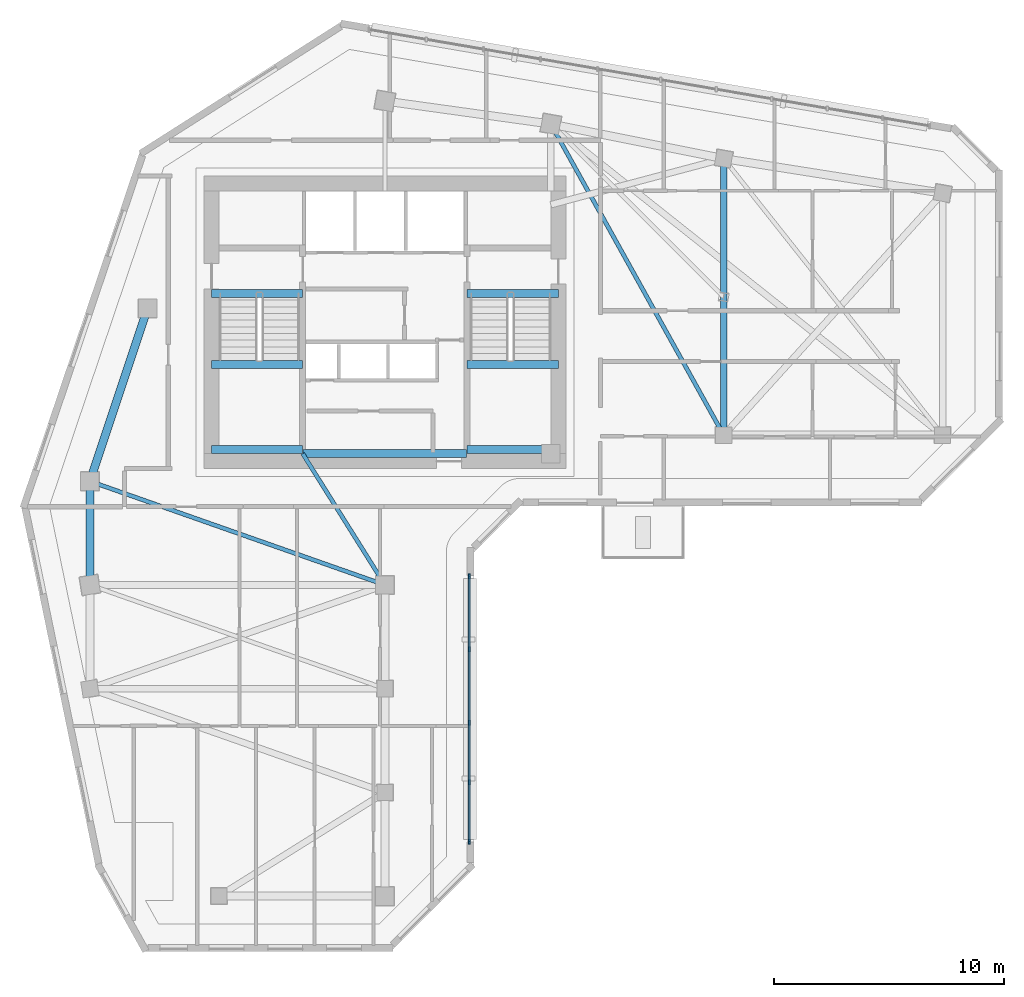
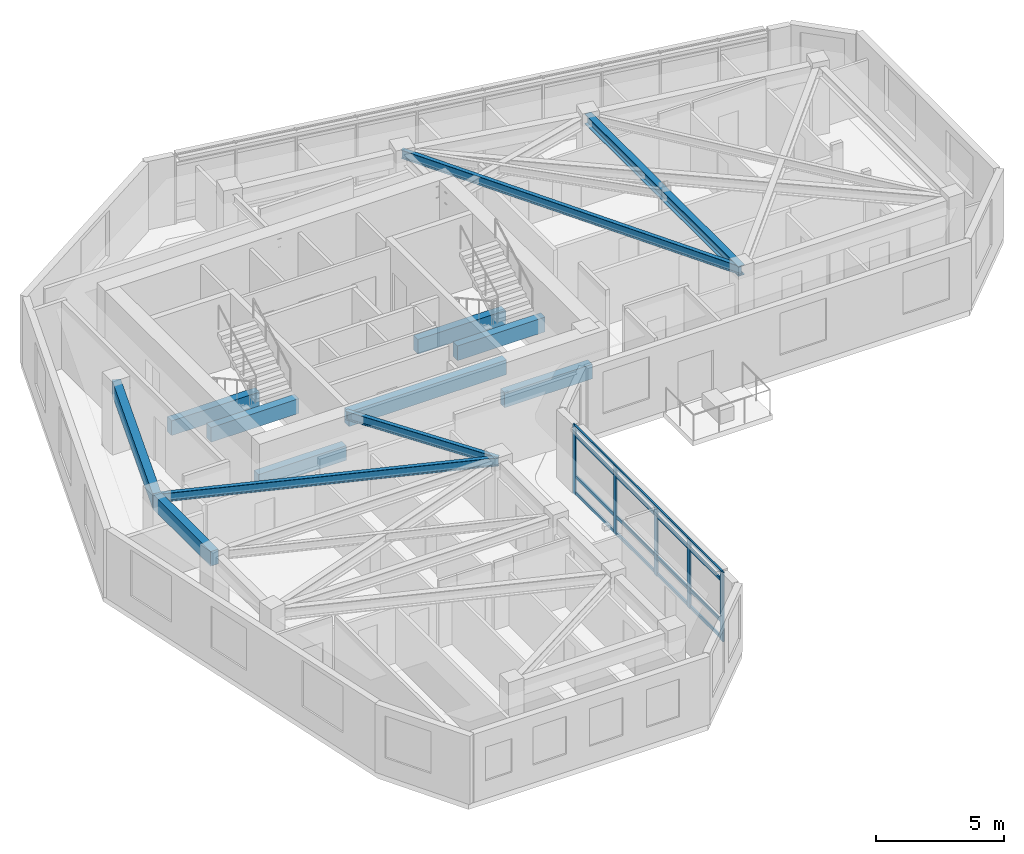
# One storey, part 2 of 11: 13 beams, 9 members, 1 element without a shape of its own.
"""IFC4 building model written with IfcOpenShell, lengths in metres."""

from ifc_helpers import new_model, si_unit, direction, frame, origin, origin_2d, place, context, subcontext, project, spatial, rectangle, i_section, extrude, source, transform, mapped, material, material_profile, profile_set, type_object, element, aggregate, save


model = new_model("IFC4")

# Units and contexts
model_context = context("Model", 3, precision=1e-05, world=origin(), true_north=direction((0.0, 1.0)))
body_context = subcontext(model_context, "Body", "Model", "MODEL_VIEW")
ifc_project = project(units=[si_unit("LENGTHUNIT", "METRE"), si_unit("AREAUNIT", "SQUARE_METRE"), si_unit("VOLUMEUNIT", "CUBIC_METRE"), si_unit("PLANEANGLEUNIT", "RADIAN"), si_unit("MASSUNIT", "GRAM", prefix="KILO")], contexts=[model_context])

# Site, building, storey
site_placement = place(None, origin())
site = spatial("IfcSite", under=ifc_project, at=site_placement, CompositionType="ELEMENT")
building_placement = place(site_placement, origin())
building = spatial("IfcBuilding", under=site, at=building_placement, Name="Calvemar Wedge Station Tower", CompositionType="ELEMENT")
storey_placement = place(building_placement, frame((0.0, 0.0, 183.39990234375)))
storey = spatial("IfcBuildingStorey", under=building, at=storey_placement, Name="L45", CompositionType="ELEMENT", Elevation=183.39990234375)

# Beams
ifc_material_1 = material(Name="Structural steel ASTM A572 Grade 50", Category="steel")
ifc_material_profile_1 = material_profile(ifc_material_1, i_section(OverallWidth=0.177978515625, OverallDepth=0.406982421875, WebThickness=0.0078125, FlangeThickness=0.0126953125, FilletRadius=0.010009765625, at=origin_2d()), Name="W410x60")
ifc_profile_set_1 = profile_set([ifc_material_profile_1], Name="Structural steel ASTM A572 Grade 50")
beam_type_1 = type_object("IfcBeamType", Name="BM-J3-W410", PredefinedType="JOIST", material=ifc_profile_set_1)
shared_shape_1 = source(origin(), body_context, "Body", "SweptSolid", [
    extrude(i_section(OverallWidth=0.177978515625, OverallDepth=0.406982421875, WebThickness=0.0078125, FlangeThickness=0.0126953125, FilletRadius=0.010009765625, at=origin_2d()), origin(), (0.0, 0.0, 1.0), 15.443359375),
])
beam_1_placement = place(storey_placement, frame((31.0, 48.5, 3.046630859375), z_axis=(0.485642931179, -0.874157276122, 0.0), x_axis=(0.874157276122, 0.485642931179, 0.0)))
element("IfcBeam", 1, at=beam_1_placement, inside=storey, type_object=beam_type_1, Name="Storey L45 Floor Beam T-N2-T-NL2", PredefinedType="JOIST", context=body_context, shape_type="MappedRepresentation", body=[
    mapped(shared_shape_1, transform((0.0, 0.0, 0.0), scale=1.0)),
])
shared_shape_2 = source(origin(), body_context, "Body", "SweptSolid", [
    extrude(i_section(OverallWidth=0.177978515625, OverallDepth=0.406982421875, WebThickness=0.0078125, FlangeThickness=0.0126953125, FilletRadius=0.010009765625, at=origin_2d()), origin(), (0.0, 0.0, 1.0), 13.568115234375),
])
beam_2_placement = place(storey_placement, frame((11.0, 33.0, 3.046630859375), z_axis=(0.943398221169, -0.331662171939, 0.0), x_axis=(0.331662171939, 0.943398221169, 0.0)))
element("IfcBeam", 2, at=beam_2_placement, inside=storey, type_object=beam_type_1, Name="Storey L45 Floor Beam T-NW1-T-SE1", PredefinedType="JOIST", context=body_context, shape_type="MappedRepresentation", body=[
    mapped(shared_shape_2, transform((0.0, 0.0, 0.0), scale=1.0)),
])
shared_shape_3 = source(origin(), body_context, "Body", "SweptSolid", [
    extrude(i_section(OverallWidth=0.177978515625, OverallDepth=0.406982421875, WebThickness=0.0078125, FlangeThickness=0.0126953125, FilletRadius=0.010009765625, at=origin_2d()), origin(), (0.0, 0.0, 1.0), 6.7255859375),
])
beam_3_placement = place(storey_placement, frame((20.22998046875, 34.199951171875, 3.046630859375), z_axis=(0.530811158438, -0.847490126242, 0.0), x_axis=(0.847490126242, 0.530811158438, 0.0)))
element("IfcBeam", 3, at=beam_3_placement, inside=storey, type_object=beam_type_1, Name="Storey L45 Core-to-Column Joist CJ-S2", PredefinedType="JOIST", context=body_context, shape_type="MappedRepresentation", body=[
    mapped(shared_shape_3, transform((0.0, 0.0, 0.0), scale=1.0)),
])
ifc_material_2 = material(Name="Concrete C70", Category="concrete")
ifc_material_profile_2 = material_profile(ifc_material_2, rectangle(XDim=0.35009765625, YDim=0.699951171875, at=origin_2d()), Name="RC350x700")
ifc_profile_set_2 = profile_set([ifc_material_profile_2], Name="Concrete C70")
beam_type_2 = type_object("IfcBeamType", Name="BM-LN1-700", PredefinedType="LINTEL", material=ifc_profile_set_2)
shared_shape_4 = source(origin(), body_context, "Body", "SweptSolid", [
    extrude(rectangle(XDim=0.35009765625, YDim=0.699951171875, at=origin_2d()), origin(), (0.0, 0.0, 1.0), 7.10009765625),
])
beam_4_placement = place(storey_placement, frame((20.25, 34.199951171875, 2.900146484375), z_axis=(1.0, 0.0, 0.0), x_axis=(0.0, 1.0, 0.0)))
element("IfcBeam", 4, at=beam_4_placement, inside=storey, type_object=beam_type_2, Name="Storey L45 Core Coupling Lintel South", PredefinedType="LINTEL", context=body_context, shape_type="MappedRepresentation", body=[
    mapped(shared_shape_4, transform((0.0, 0.0, 0.0), scale=1.0)),
])
shared_shape_5 = source(origin(), body_context, "Body", "SweptSolid", [
    extrude(rectangle(XDim=0.35009765625, YDim=0.699951171875, at=origin_2d()), origin(), (0.0, 0.0, 1.0), 3.955078125),
])
for number, where, z_axis, x_axis, name in (
    (5, (16.27490234375, 41.14990234375, -0.349853515625), (1.0, 0.0, 0.0), (0.0, 1.0, 0.0), "Storey L45 Stair ST-C1 Landing Trimmer Beam"),
    (6, (16.27490234375, 34.3798828125, 1.2001953125), (1.0, 0.0, 0.0), (0.0, 1.0, 0.0), "Storey L45 Stair ST-C1 Half-Landing Beam 1A"),
    (7, (16.27490234375, 38.070068359375, 1.2001953125), (1.0, 0.0, 0.0), (0.0, 1.0, 0.0), "Storey L45 Stair ST-C1 Half-Landing Beam 1B"),
):
    element("IfcBeam", number, at=place(storey_placement, frame(where, z_axis=z_axis, x_axis=x_axis)), inside=storey, type_object=beam_type_2, Name=name, PredefinedType="LINTEL", context=body_context, shape_type="MappedRepresentation", body=[
        mapped(shared_shape_5, transform((0.0, 0.0, 0.0), scale=1.0)),
    ])
shared_shape_6 = source(origin(), body_context, "Body", "SweptSolid", [
    extrude(rectangle(XDim=0.35009765625, YDim=0.699951171875, at=origin_2d()), origin(), (0.0, 0.0, 1.0), 3.954833984375),
])
for number, where, z_axis, x_axis, name in (
    (8, (27.3701171875, 41.14990234375, -0.349853515625), (1.0, 0.0, 0.0), (0.0, 1.0, 0.0), "Storey L45 Stair ST-C2 Landing Trimmer Beam"),
    (9, (27.3701171875, 34.3798828125, 1.2001953125), (1.0, 0.0, 0.0), (0.0, 1.0, 0.0), "Storey L45 Stair ST-C2 Half-Landing Beam 1A"),
    (10, (27.3701171875, 38.070068359375, 1.2001953125), (1.0, 0.0, 0.0), (0.0, 1.0, 0.0), "Storey L45 Stair ST-C2 Half-Landing Beam 1B"),
):
    element("IfcBeam", number, at=place(storey_placement, frame(where, z_axis=z_axis, x_axis=x_axis)), inside=storey, type_object=beam_type_2, Name=name, PredefinedType="LINTEL", context=body_context, shape_type="MappedRepresentation", body=[
        mapped(shared_shape_6, transform((0.0, 0.0, 0.0), scale=1.0)),
    ])
ifc_material_3 = material(Name="Concrete C50", Category="concrete")
ifc_material_profile_3 = material_profile(ifc_material_3, rectangle(XDim=0.35009765625, YDim=0.699951171875, at=origin_2d()), Name="RC350x700")
ifc_profile_set_3 = profile_set([ifc_material_profile_3], Name="Concrete C50")
beam_type_3 = type_object("IfcBeamType", Name="BM-SP2-700", PredefinedType="SPANDREL", material=ifc_profile_set_3)
shared_shape_7 = source(origin(), body_context, "Body", "SweptSolid", [
    extrude(rectangle(XDim=0.35009765625, YDim=0.699951171875, at=origin_2d()), origin(), (0.0, 0.0, 1.0), 7.90576171875),
])
beam_5_placement = place(storey_placement, frame((11.0, 33.0, 2.900146484375), z_axis=(0.316227766017, 0.948683298051, 0.0), x_axis=(-0.948683298051, 0.316227766017, 0.0)))
element("IfcBeam", 11, at=beam_5_placement, inside=storey, type_object=beam_type_3, Name="Storey L45 Spandrel T-NW1-T-NW2", PredefinedType="SPANDREL", context=body_context, shape_type="MappedRepresentation", body=[
    mapped(shared_shape_7, transform((0.0, 0.0, 0.0), scale=1.0)),
])
ifc_material_profile_4 = material_profile(ifc_material_1, i_section(OverallWidth=0.283935546875, OverallDepth=0.47607421875, WebThickness=0.014892578125, FlangeThickness=0.02392578125, FilletRadius=0.014892578125, at=origin_2d()), Name="W460x158")
ifc_profile_set_4 = profile_set([ifc_material_profile_4], Name="Structural steel ASTM A572 Grade 50")
beam_type_4 = type_object("IfcBeamType", Name="BM-SB5-W460H", PredefinedType="BEAM", material=ifc_profile_set_4)
shared_shape_8 = source(origin(), body_context, "Body", "SweptSolid", [
    extrude(i_section(OverallWidth=0.283935546875, OverallDepth=0.47607421875, WebThickness=0.014892578125, FlangeThickness=0.02392578125, FilletRadius=0.014892578125, at=origin_2d()), origin(), (0.0, 0.0, 1.0), 12.0),
])
beam_6_placement = place(storey_placement, frame((38.5, 47.0, 3.01220703125), z_axis=(0.0, -1.0, 0.0), x_axis=(1.0, 0.0, 0.0)))
element("IfcBeam", 12, at=beam_6_placement, inside=storey, type_object=beam_type_4, Name="Storey L45 Floor Beam T-NU3-T-NL2", PredefinedType="BEAM", context=body_context, shape_type="MappedRepresentation", body=[
    mapped(shared_shape_8, transform((0.0, 0.0, 0.0), scale=1.0)),
])
shared_shape_9 = source(origin(), body_context, "Body", "SweptSolid", [
    extrude(rectangle(XDim=0.35009765625, YDim=0.699951171875, at=origin_2d()), origin(), (0.0, 0.0, 1.0), 4.5),
])
beam_7_placement = place(storey_placement, frame((11.0, 33.0, 2.900146484375), z_axis=(0.0, -1.0, 0.0), x_axis=(1.0, 0.0, 0.0)))
element("IfcBeam", 13, at=beam_7_placement, inside=storey, type_object=beam_type_3, Name="Storey L45 Spandrel T-NW1-T-SW1", PredefinedType="SPANDREL", context=body_context, shape_type="MappedRepresentation", body=[
    mapped(shared_shape_9, transform((0.0, 0.0, 0.0), scale=1.0)),
])

# Curtain wall, members
ifc_material_4 = material(Name="Anodised aluminium 6063-T6", Category="aluminium")
curtain_wall_type = type_object("IfcCurtainWallType", Name="CW3", PredefinedType="NOTDEFINED", material=ifc_material_4)
curtain_wall_placement = place(storey_placement, origin())
curtain_wall = element("IfcCurtainWall", 14, at=curtain_wall_placement, inside=storey, type_object=curtain_wall_type, Name="Storey L45 CW3 Recessed Unitised Curtain Wall 4", PredefinedType="NOTDEFINED")
ifc_material_profile_5 = material_profile(ifc_material_4, rectangle(XDim=0.074951171875, YDim=0.2099609375, at=origin_2d()), Name="AL-MUL-75x210")
ifc_profile_set_5 = profile_set([ifc_material_profile_5], Name="Anodised aluminium 6063-T6")
member_type_1 = type_object("IfcMemberType", Name="CW3-MUL", PredefinedType="MULLION", material=ifc_profile_set_5)
shared_shape_10 = source(origin(), body_context, "Body", "SweptSolid", [
    extrude(rectangle(XDim=0.074951171875, YDim=0.2099609375, at=origin_2d()), origin(), (0.0, 0.0, 1.0), 3.2998046875),
])
member_1_placement = place(storey_placement, frame((27.4541015625, 17.362060546875, -0.0498046875), z_axis=(0.0, 0.0, 1.0), x_axis=(1.0, 0.0, 0.0)))
member_1 = element("IfcMember", 15, at=member_1_placement, type_object=member_type_1, Name="CW3 mullion 1", PredefinedType="MULLION", context=body_context, shape_type="MappedRepresentation", body=[
    mapped(shared_shape_10, transform((0.0, 0.0, 0.0), scale=1.0)),
])
member_2_placement = place(storey_placement, frame((27.4541015625, 19.9423828125, -0.0498046875), z_axis=(0.0, 0.0, 1.0), x_axis=(1.0, 0.0, 0.0)))
member_2 = element("IfcMember", 16, at=member_2_placement, type_object=member_type_1, Name="CW3 mullion 2", PredefinedType="MULLION", context=body_context, shape_type="MappedRepresentation", body=[
    mapped(shared_shape_10, transform((0.0, 0.0, 0.0), scale=1.0)),
])
member_3_placement = place(storey_placement, frame((27.4541015625, 22.52294921875, -0.0498046875), z_axis=(0.0, 0.0, 1.0), x_axis=(1.0, 0.0, 0.0)))
member_3 = element("IfcMember", 17, at=member_3_placement, type_object=member_type_1, Name="CW3 mullion 3", PredefinedType="MULLION", context=body_context, shape_type="MappedRepresentation", body=[
    mapped(shared_shape_10, transform((0.0, 0.0, 0.0), scale=1.0)),
])
member_4_placement = place(storey_placement, frame((27.4541015625, 25.70458984375, -0.0498046875), z_axis=(0.0, 0.0, 1.0), x_axis=(1.0, 0.0, 0.0)))
member_4 = element("IfcMember", 18, at=member_4_placement, type_object=member_type_1, Name="CW3 mullion 4", PredefinedType="MULLION", context=body_context, shape_type="MappedRepresentation", body=[
    mapped(shared_shape_10, transform((0.0, 0.0, 0.0), scale=1.0)),
])
member_5_placement = place(storey_placement, frame((27.4541015625, 28.885986328125, -0.0498046875), z_axis=(0.0, 0.0, 1.0), x_axis=(1.0, 0.0, 0.0)))
member_5 = element("IfcMember", 19, at=member_5_placement, type_object=member_type_1, Name="CW3 mullion 5", PredefinedType="MULLION", context=body_context, shape_type="MappedRepresentation", body=[
    mapped(shared_shape_10, transform((0.0, 0.0, 0.0), scale=1.0)),
])
ifc_material_profile_6 = material_profile(ifc_material_4, rectangle(XDim=0.074951171875, YDim=0.14501953125, at=origin_2d()), Name="AL-TRN-75x145")
ifc_profile_set_6 = profile_set([ifc_material_profile_6], Name="Anodised aluminium 6063-T6")
member_type_2 = type_object("IfcMemberType", Name="CW3-TRN", PredefinedType="USERDEFINED", material=ifc_profile_set_6)
shared_shape_11 = source(origin(), body_context, "Body", "SweptSolid", [
    extrude(rectangle(XDim=0.074951171875, YDim=0.14501953125, at=origin_2d()), origin(), (0.0, 0.0, 1.0), 11.52392578125),
])
member_6_placement = place(storey_placement, frame((27.4541015625, 17.362060546875, 0.06005859375), z_axis=(0.0, 1.0, 0.0), x_axis=(-1.0, 0.0, 0.0)))
member_6 = element("IfcMember", 20, at=member_6_placement, type_object=member_type_2, Name="CW3 transom 1", ObjectType="TRANSOM", PredefinedType="USERDEFINED", context=body_context, shape_type="MappedRepresentation", body=[
    mapped(shared_shape_11, transform((0.0, 0.0, 0.0), scale=1.0)),
])
member_7_placement = place(storey_placement, frame((27.4541015625, 17.362060546875, 0.85009765625), z_axis=(0.0, 1.0, 0.0), x_axis=(-1.0, 0.0, 0.0)))
member_7 = element("IfcMember", 21, at=member_7_placement, type_object=member_type_2, Name="CW3 transom 2", ObjectType="TRANSOM", PredefinedType="USERDEFINED", context=body_context, shape_type="MappedRepresentation", body=[
    mapped(shared_shape_11, transform((0.0, 0.0, 0.0), scale=1.0)),
])
member_8_placement = place(storey_placement, frame((27.4541015625, 17.362060546875, 2.800048828125), z_axis=(0.0, 1.0, 0.0), x_axis=(-1.0, 0.0, 0.0)))
member_8 = element("IfcMember", 22, at=member_8_placement, type_object=member_type_2, Name="CW3 transom 3", ObjectType="TRANSOM", PredefinedType="USERDEFINED", context=body_context, shape_type="MappedRepresentation", body=[
    mapped(shared_shape_11, transform((0.0, 0.0, 0.0), scale=1.0)),
])
member_9_placement = place(storey_placement, frame((27.4541015625, 17.362060546875, 3.190185546875), z_axis=(0.0, 1.0, 0.0), x_axis=(-1.0, 0.0, 0.0)))
member_9 = element("IfcMember", 23, at=member_9_placement, type_object=member_type_2, Name="CW3 transom 4", ObjectType="TRANSOM", PredefinedType="USERDEFINED", context=body_context, shape_type="MappedRepresentation", body=[
    mapped(shared_shape_11, transform((0.0, 0.0, 0.0), scale=1.0)),
])
aggregate(curtain_wall, [member_1, member_2, member_3, member_4, member_5, member_6, member_7, member_8, member_9])

save(model, "model.ifc")
